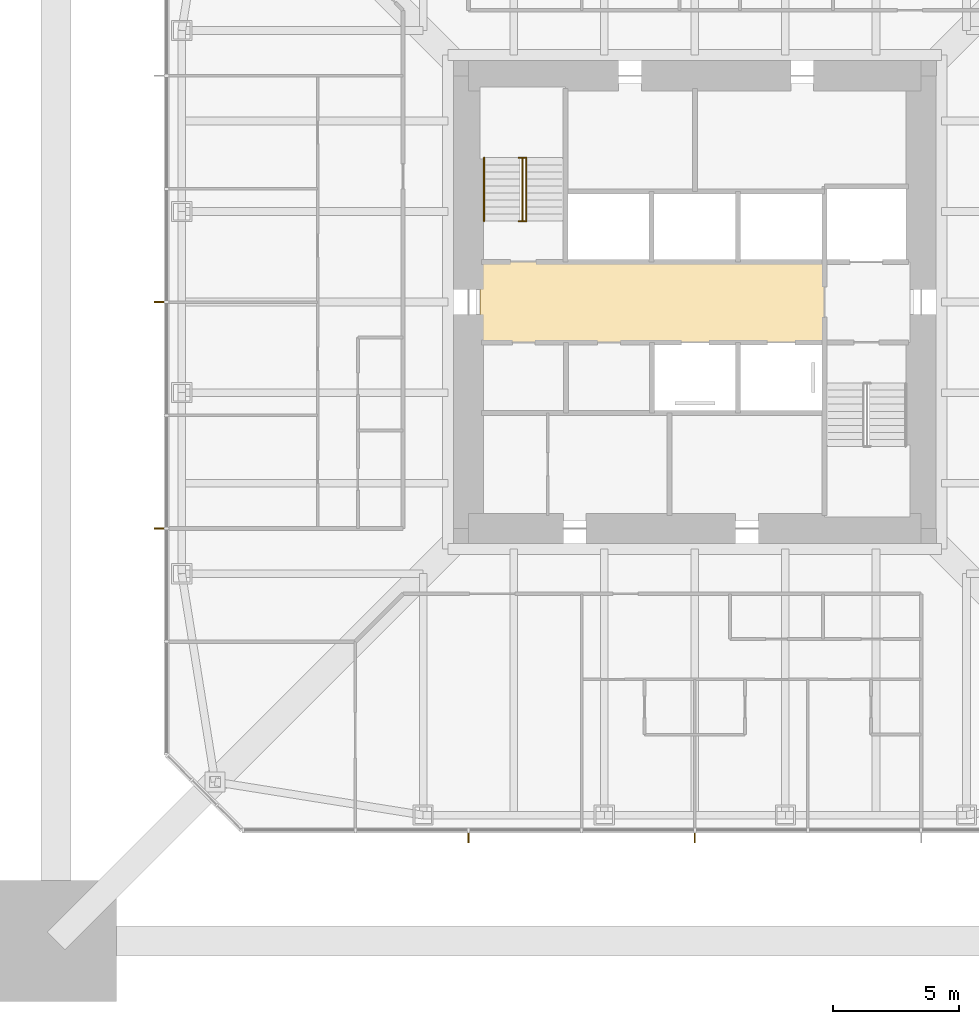
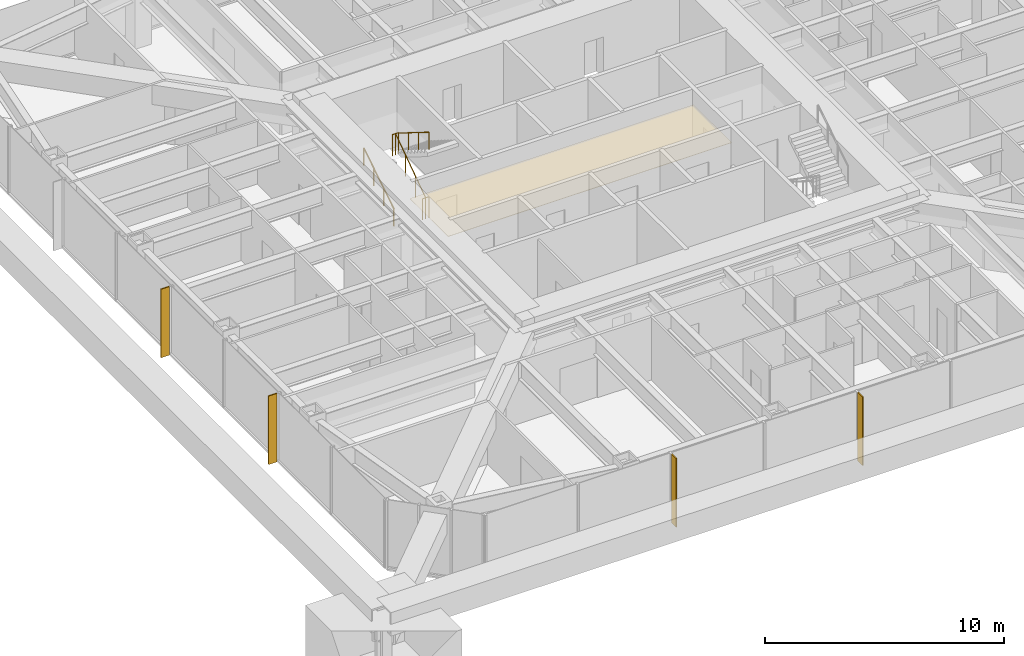
# One storey, part 17 of 20: 4 shading devices, 3 railings, 1 covering.
"""IFC4 building model written with IfcOpenShell, lengths in metres."""

from ifc_helpers import new_model, si_unit, direction, frame, origin, origin_2d, place, context, subcontext, project, spatial, polyline, rectangle, circle, outline, extrude, material, layer, layer_set, constituent, constituent_set, type_object, element, save


model = new_model("IFC4")

# Units and contexts
model_context = context("Model", 3, precision=1e-05, world=origin(), true_north=direction((0.0, 1.0)))
body_context = subcontext(model_context, "Body", "Model", "MODEL_VIEW")
ifc_project = project(units=[si_unit("LENGTHUNIT", "METRE"), si_unit("AREAUNIT", "SQUARE_METRE"), si_unit("VOLUMEUNIT", "CUBIC_METRE"), si_unit("PLANEANGLEUNIT", "RADIAN"), si_unit("MASSUNIT", "GRAM", prefix="KILO")], contexts=[model_context])

# Site, building, storey
site_placement = place(None, origin())
site = spatial("IfcSite", under=ifc_project, at=site_placement, CompositionType="ELEMENT")
building_placement = place(site_placement, origin())
building = spatial("IfcBuilding", under=site, at=building_placement, Name="Iwan Alto Co-Living Towers", CompositionType="ELEMENT")
storey_placement = place(building_placement, frame((0.0, 0.0, 140.0)))
storey = spatial("IfcBuildingStorey", under=building, at=storey_placement, Name="L38", CompositionType="ELEMENT", Elevation=140.0)

# Covering
ifc_material_1 = material(Name="Mineral fibre acoustic tiles on steel grid", Category="steel")
ifc_layer_1 = layer(ifc_material_1, 0.02001953125)
ifc_layer_set_1 = layer_set([ifc_layer_1], Name="ACOUSTIC TILE CEILING 20")
covering_type = type_object("IfcCoveringType", Name="ACOUSTIC TILE CEILING 20", PredefinedType="CEILING", material=ifc_layer_set_1)
covering_placement = place(storey_placement, frame((0.0, 0.0, 2.60009765625)))
element("IfcCovering", 1, at=covering_placement, inside=storey, type_object=covering_type, Name="Ceiling Lift lobby L38", PredefinedType="CEILING", context=body_context, shape_type="SweptSolid", body=[
    extrude(outline(polyline([(-8.550048828125, -1.60009765625), (-8.550048828125, 1.60009765625), (5.14990234375, 1.60009765625), (5.14990234375, -1.60009765625), (-8.550048828125, -1.60009765625)])), origin(), (0.0, 0.0, 1.0), 0.02001953125),
])

# Shading devices
ifc_material_2 = material(Name="Aluminium 6063-T6 bronze anodised", Category="aluminium")
ifc_layer_2 = layer(ifc_material_2, 0.050048828125)
ifc_layer_set_2 = layer_set([ifc_layer_2], Name="BRONZE FIN 50X400")
shading_device_type = type_object("IfcShadingDeviceType", Name="BRONZE FIN 50X400", PredefinedType="USERDEFINED", material=ifc_layer_set_2)
for number, where, z_axis, x_axis, name in (
    (2, (-9.0, -21.300048828125, 0.0), (0.0, 0.0, 1.0), (1.0, 0.0, 0.0), "Bronze fin L38"),
    (3, (0.0, -21.300048828125, 0.0), (0.0, 0.0, 1.0), (1.0, 0.0, 0.0), "Bronze fin L38"),
    (4, (-21.300048828125, 0.0, 0.0), (0.0, 0.0, 1.0), (0.0, -1.0, 0.0), "Bronze fin L38"),
    (5, (-21.300048828125, -9.0, 0.0), (0.0, 0.0, 1.0), (0.0, -1.0, 0.0), "Bronze fin L38"),
):
    element("IfcShadingDevice", number, at=place(storey_placement, frame(where, z_axis=z_axis, x_axis=x_axis)), inside=storey, type_object=shading_device_type, Name=name, ObjectType="LOUVER", PredefinedType="USERDEFINED", context=body_context, shape_type="SweptSolid", body=[
        extrude(rectangle(XDim=0.050048828125, YDim=0.39990234375, at=origin_2d()), origin(), (0.0, 0.0, 1.0), 3.5),
    ])

# Railings
ifc_material_3 = material(Name="Steel ASTM A500 Gr C", Category="steel")
ifc_constituent_1 = constituent(ifc_material_3, Name="Rails and posts", Category="Framing")
ifc_material_4 = material(Name="Steel ASTM A36", Category="steel")
ifc_constituent_2 = constituent(ifc_material_4, Name="Bar infill", Category="Infill")
ifc_constituent_set = constituent_set(constituents=[ifc_constituent_1, ifc_constituent_2], Name="STAIR GUARD 1100")
railing_type_1 = type_object("IfcRailingType", Name="STAIR GUARD 1100", PredefinedType="GUARDRAIL", material=ifc_constituent_set)
railing_1_placement = place(storey_placement, frame((-6.85009765625, 3.219970703125, 0.0)))
element("IfcRailing", 6, at=railing_1_placement, inside=storey, type_object=railing_type_1, Name="Stair T1-S1 well guard L38", PredefinedType="GUARDRAIL", context=body_context, shape_type="SweptSolid", body=[
    extrude(circle(Radius=0.02392578125, at=origin_2d()), frame((0.0, 0.0, 1.076171875), z_axis=(0.0, 0.821372036852, 0.570392826987), x_axis=(-1.0, 0.0, 0.0)), (0.0, 0.0, 1.0), 3.068115234375),
    extrude(circle(Radius=0.02392578125, at=origin_2d()), frame((-0.14990234375, 0.0, 1.076171875), z_axis=(1.0, 0.0, 0.0), x_axis=(0.0, 1.0, 0.0)), (0.0, 0.0, 1.0), 0.300048828125),
    extrude(circle(Radius=0.02392578125, at=origin_2d()), frame((-0.14990234375, 2.52001953125, 2.826171875), z_axis=(1.0, 0.0, 0.0), x_axis=(0.0, 1.0, 0.0)), (0.0, 0.0, 1.0), 0.300048828125),
    extrude(circle(Radius=0.02099609375, at=origin_2d()), origin(), (0.0, 0.0, 1.0), 1.052001953125),
    extrude(circle(Radius=0.02099609375, at=origin_2d()), frame((0.0, 0.840087890625, 0.583251953125)), (0.0, 0.0, 1.0), 1.052001953125),
    extrude(circle(Radius=0.02099609375, at=origin_2d()), frame((0.0, 1.679931640625, 1.166748046875)), (0.0, 0.0, 1.0), 1.052001953125),
    extrude(circle(Radius=0.02099609375, at=origin_2d()), frame((0.0, 2.52001953125, 1.75)), (0.0, 0.0, 1.0), 1.052001953125),
    extrude(circle(Radius=0.02099609375, at=origin_2d()), frame((-0.14990234375, 0.0, 0.0)), (0.0, 0.0, 1.0), 1.052001953125),
    extrude(circle(Radius=0.02099609375, at=origin_2d()), frame((0.150146484375, 0.0, 0.0)), (0.0, 0.0, 1.0), 1.052001953125),
    extrude(circle(Radius=0.02099609375, at=origin_2d()), frame((-0.14990234375, 2.52001953125, 1.75)), (0.0, 0.0, 1.0), 1.052001953125),
    extrude(circle(Radius=0.02099609375, at=origin_2d()), frame((0.150146484375, 2.52001953125, 1.75)), (0.0, 0.0, 1.0), 1.052001953125),
])
ifc_material_5 = material(Name="Steel ASTM A500 Gr C", Category="steel")
railing_type_2 = type_object("IfcRailingType", Name="STAIR HANDRAIL 900", PredefinedType="HANDRAIL", material=ifc_material_5)
railing_2_placement = place(storey_placement, frame((-8.3798828125, 3.219970703125, 0.175048828125)))
element("IfcRailing", 7, at=railing_2_placement, inside=storey, type_object=railing_type_2, Name="Stair T1-S1 handrail 1 L38", PredefinedType="HANDRAIL", context=body_context, shape_type="SweptSolid", body=[
    extrude(circle(Radius=0.02392578125, at=origin_2d()), frame((0.0, 0.0, 0.8759765625), z_axis=(0.0, 0.848007534815, 0.529984170421), x_axis=(-1.0, 0.0, 0.0)), (0.0, 0.0, 1.0), 2.9716796875),
    extrude(circle(Radius=0.02099609375, at=origin_2d()), origin(), (0.0, 0.0, 1.0), 0.851806640625),
    extrude(circle(Radius=0.02099609375, at=origin_2d()), frame((0.0, 0.840087890625, 0.52490234375)), (0.0, 0.0, 1.0), 0.851806640625),
    extrude(circle(Radius=0.02099609375, at=origin_2d()), frame((0.0, 1.679931640625, 1.050048828125)), (0.0, 0.0, 1.0), 0.851806640625),
    extrude(circle(Radius=0.02099609375, at=origin_2d()), frame((0.0, 2.52001953125, 1.574951171875)), (0.0, 0.0, 1.0), 0.851806640625),
])
railing_3_placement = place(storey_placement, frame((-6.699951171875, 5.739990234375, 1.925048828125)))
element("IfcRailing", 8, at=railing_3_placement, inside=storey, type_object=railing_type_2, Name="Stair T1-S1 handrail 2 L38", PredefinedType="HANDRAIL", context=body_context, shape_type="SweptSolid", body=[
    extrude(circle(Radius=0.02392578125, at=origin_2d()), frame((0.0, 0.0, 0.8759765625), z_axis=(0.0, -0.848007534815, 0.529984170421), x_axis=(1.0, 0.0, 0.0)), (0.0, 0.0, 1.0), 2.9716796875),
    extrude(circle(Radius=0.02099609375, at=origin_2d()), origin(), (0.0, 0.0, 1.0), 0.851806640625),
    extrude(circle(Radius=0.02099609375, at=origin_2d()), frame((0.0, -0.840087890625, 0.52490234375)), (0.0, 0.0, 1.0), 0.851806640625),
    extrude(circle(Radius=0.02099609375, at=origin_2d()), frame((0.0, -1.679931640625, 1.050048828125)), (0.0, 0.0, 1.0), 0.851806640625),
    extrude(circle(Radius=0.02099609375, at=origin_2d()), frame((0.0, -2.52001953125, 1.574951171875)), (0.0, 0.0, 1.0), 0.851806640625),
])

save(model, "model.ifc")
